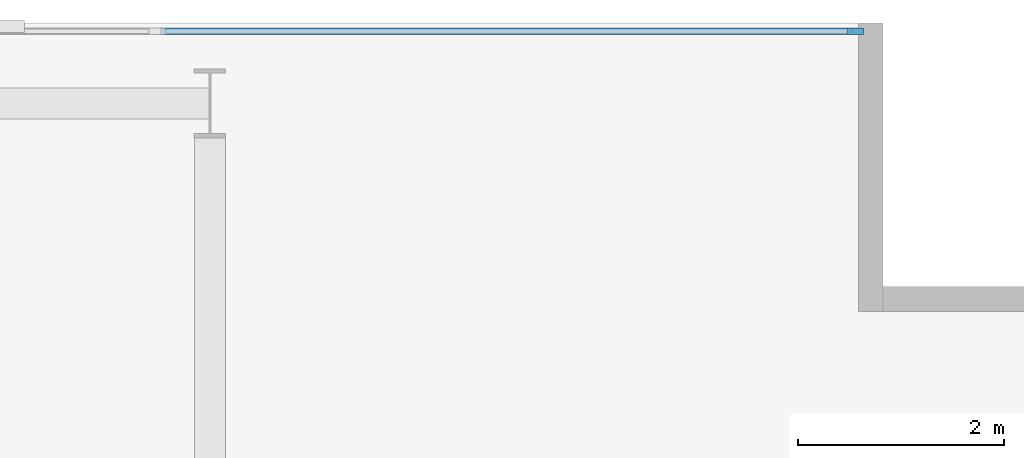
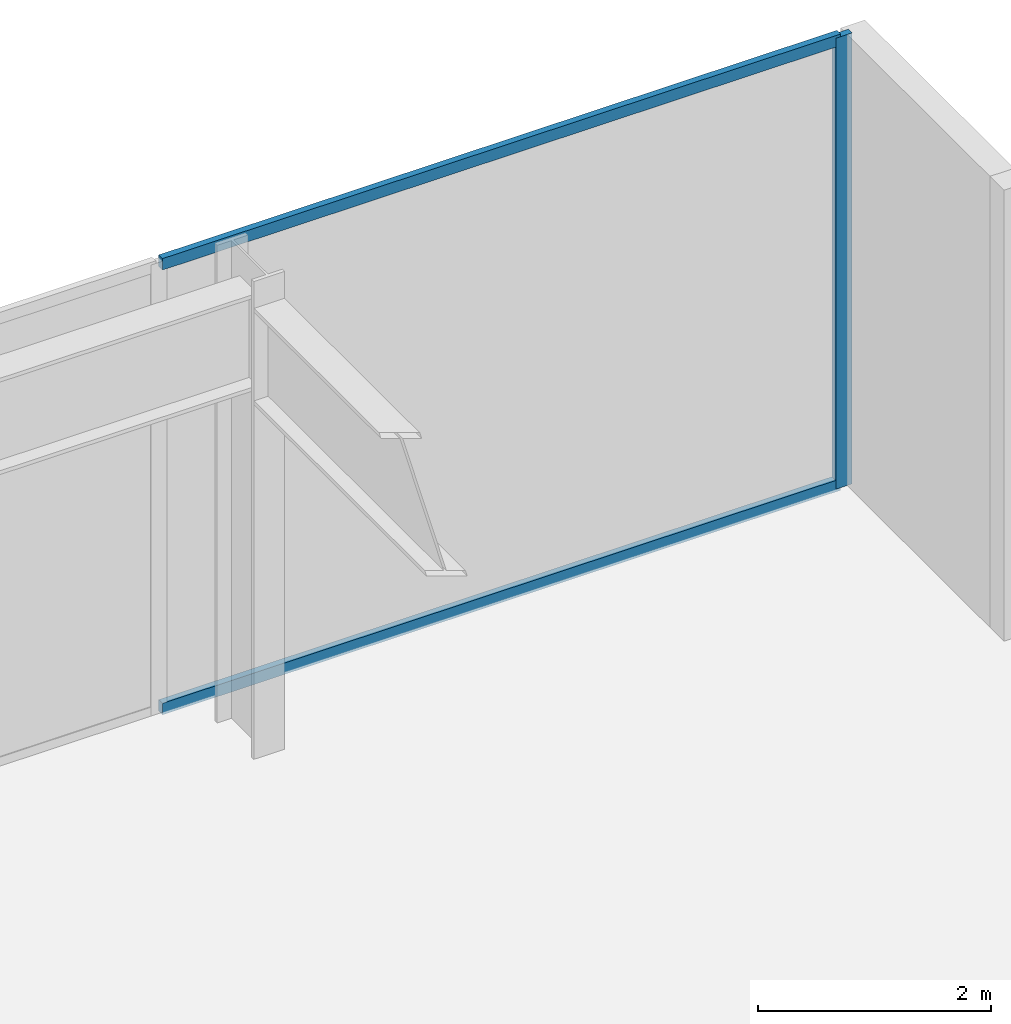
# One storey, part 13 of 23: 3 members, 1 element without a shape of its own.
"""IFC4 building model written with IfcOpenShell, lengths in metres."""

from ifc_helpers import new_model, si_unit, direction, frame, origin, origin_2d, place, context, subcontext, project, spatial, rectangle, extrude, material, layer, layer_set, material_profile, profile_set, type_object, element, aggregate, save


model = new_model("IFC4")

# Units and contexts
model_context = context("Model", 3, precision=1e-05, world=origin(), true_north=direction((0.0, 1.0)))
body_context = subcontext(model_context, "Body", "Model", "MODEL_VIEW")
ifc_project = project(units=[si_unit("LENGTHUNIT", "METRE"), si_unit("AREAUNIT", "SQUARE_METRE"), si_unit("VOLUMEUNIT", "CUBIC_METRE"), si_unit("PLANEANGLEUNIT", "RADIAN"), si_unit("MASSUNIT", "GRAM", prefix="KILO")], contexts=[model_context])

# Site, building, storey
site_placement = place(None, origin())
site = spatial("IfcSite", under=ifc_project, at=site_placement, CompositionType="ELEMENT")
building_placement = place(site_placement, origin())
building = spatial("IfcBuilding", under=site, at=building_placement, Name="Putna Gate Headquarters", CompositionType="ELEMENT")
storey_placement = place(building_placement, frame((0.0, 0.0, 310.39990234375)))
storey = spatial("IfcBuildingStorey", under=building, at=storey_placement, Name="L78", CompositionType="ELEMENT", Elevation=310.39990234375)

# Curtain wall, members
ifc_material_1 = material(Name="Anodised bronze aluminium curtain wall", Category="aluminium")
ifc_layer = layer(ifc_material_1, 0.159912109375)
ifc_layer_set = layer_set([ifc_layer], Name="Anodised bronze aluminium curtain wall")
curtain_wall_type = type_object("IfcCurtainWallType", Name="CW-SYS-CRN", PredefinedType="USERDEFINED", material=ifc_layer_set)
curtain_wall_placement = place(storey_placement, origin())
curtain_wall = element("IfcCurtainWall", 1, at=curtain_wall_placement, inside=storey, type_object=curtain_wall_type, Name="L78 Acoustic Louvre North Enclosure", ObjectType="STICK CURTAIN WALL", PredefinedType="USERDEFINED")
ifc_material_2 = material(Name="Anodised bronze aluminium EN AW-6060", Category="aluminium")
ifc_material_profile_1 = material_profile(ifc_material_2, rectangle(XDim=0.06494140625, YDim=0.159912109375, at=origin_2d()), Name="Anodised bronze aluminium EN AW-6060")
ifc_profile_set_1 = profile_set([ifc_material_profile_1], Name="Anodised bronze aluminium EN AW-6060")
member_type_1 = type_object("IfcMemberType", Name="MULL-CWM-CR", PredefinedType="MULLION", material=ifc_profile_set_1)
member_1_placement = place(storey_placement, frame((71.267578125, 46.820068359375, 0.0), z_axis=(0.0, 0.0, 1.0), x_axis=(0.0, 1.0, 0.0)))
member_1 = element("IfcMember", 2, at=member_1_placement, type_object=member_type_1, Name="CWS-CR mullion 10", PredefinedType="MULLION", context=body_context, shape_type="SweptSolid", body=[
    extrude(rectangle(XDim=0.06494140625, YDim=0.159912109375, at=origin_2d()), origin(), (0.0, 0.0, 1.0), 4.72021484375),
])
ifc_material_profile_2 = material_profile(ifc_material_2, rectangle(XDim=0.06494140625, YDim=0.1201171875, at=origin_2d()), Name="Anodised bronze aluminium EN AW-6060")
ifc_profile_set_2 = profile_set([ifc_material_profile_2], Name="Anodised bronze aluminium EN AW-6060")
member_type_2 = type_object("IfcMemberType", Name="TRAN-CWT-CR", PredefinedType="USERDEFINED", material=ifc_profile_set_2)
member_2_placement = place(storey_placement, frame((64.521484375, 46.820068359375, 0.03271484375), z_axis=(1.0, 0.0, 0.0), x_axis=(0.0, 1.0, 0.0)))
member_2 = element("IfcMember", 3, at=member_2_placement, type_object=member_type_2, Name="CWS-CR transom 9.1", ObjectType="TRANSOM", PredefinedType="USERDEFINED", context=body_context, shape_type="SweptSolid", body=[
    extrude(rectangle(XDim=0.06494140625, YDim=0.1201171875, at=origin_2d()), origin(), (0.0, 0.0, 1.0), 6.713623046875),
])
member_3_placement = place(storey_placement, frame((64.521484375, 46.820068359375, 4.6875), z_axis=(1.0, 0.0, 0.0), x_axis=(0.0, 1.0, 0.0)))
member_3 = element("IfcMember", 4, at=member_3_placement, type_object=member_type_2, Name="CWS-CR transom 9.2", ObjectType="TRANSOM", PredefinedType="USERDEFINED", context=body_context, shape_type="SweptSolid", body=[
    extrude(rectangle(XDim=0.06494140625, YDim=0.1201171875, at=origin_2d()), origin(), (0.0, 0.0, 1.0), 6.713623046875),
])
aggregate(curtain_wall, [member_1, member_2, member_3])

save(model, "model.ifc")
